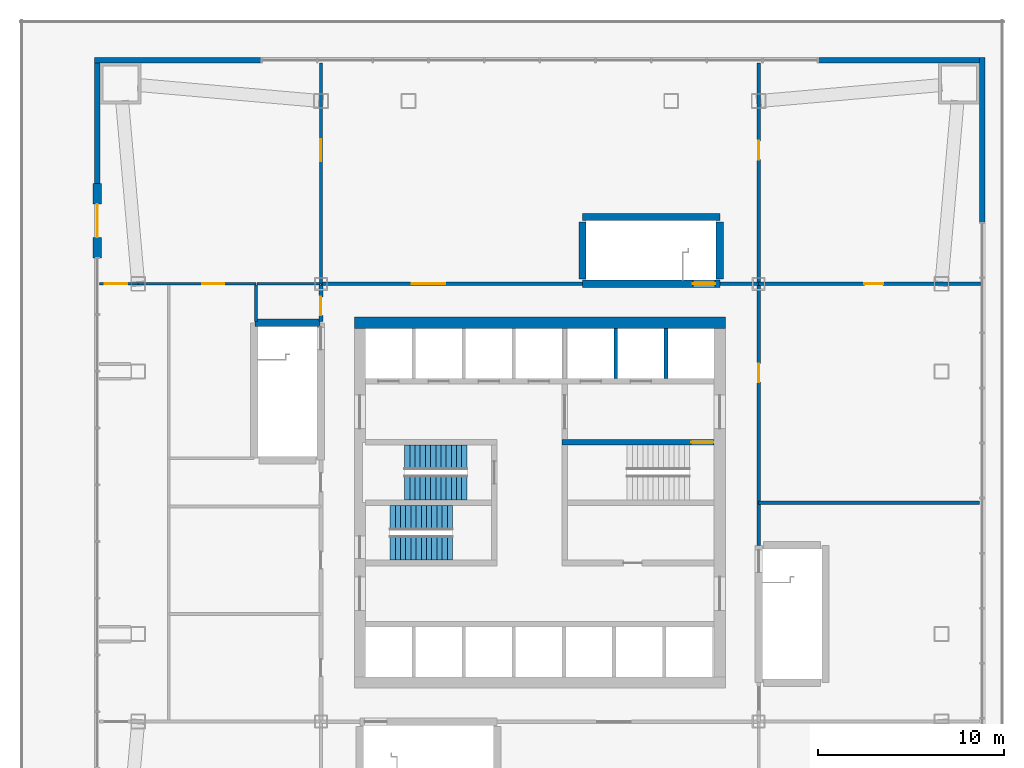
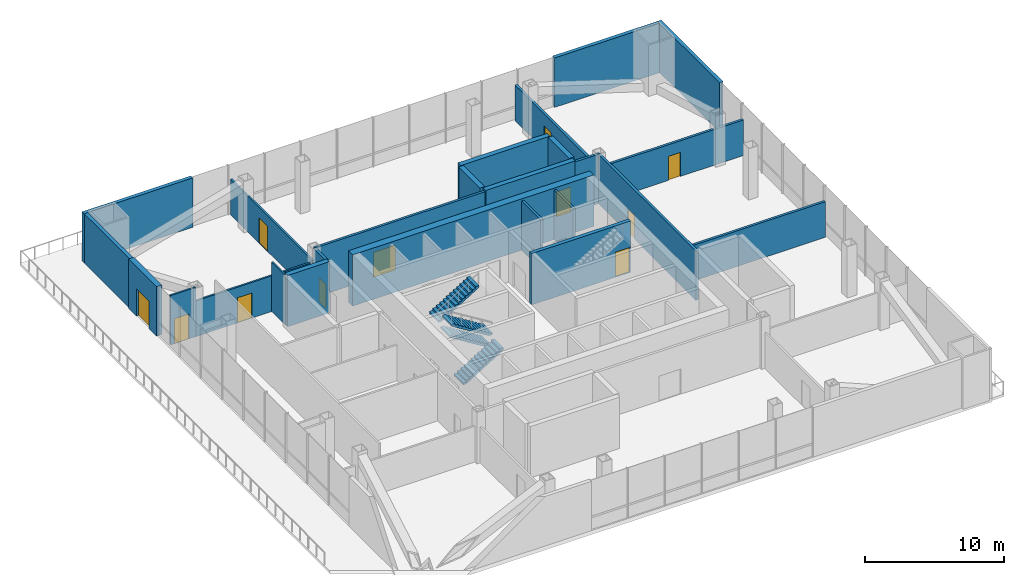
# One storey, part 13 of 15: 26 walls, 11 doors, 4 stair flights, 11 openings, 2 elements without a shape of their own.
"""IFC4 building model written with IfcOpenShell, lengths in metres."""

from ifc_helpers import new_model, si_unit, direction, frame, frame_2d, origin, place, context, subcontext, project, spatial, polyline, rectangle, outline, extrude, material, layer, layer_set, type_object, element, fill, aggregate, save


model = new_model("IFC4")

# Units and contexts
model_context = context("Model", 3, precision=1e-05, world=origin(), true_north=direction((0.0, 1.0)))
body_context = subcontext(model_context, "Body", "Model", "MODEL_VIEW")
ifc_project = project(units=[si_unit("LENGTHUNIT", "METRE"), si_unit("AREAUNIT", "SQUARE_METRE"), si_unit("VOLUMEUNIT", "CUBIC_METRE"), si_unit("PLANEANGLEUNIT", "RADIAN"), si_unit("MASSUNIT", "GRAM", prefix="KILO")], contexts=[model_context])

# Site, building, storey
site_placement = place(None, origin())
site = spatial("IfcSite", under=ifc_project, at=site_placement, CompositionType="ELEMENT")
building_placement = place(site_placement, origin())
building = spatial("IfcBuilding", under=site, at=building_placement, Name="Turquesa Mirador Hotel Tower", CompositionType="ELEMENT")
storey_placement = place(building_placement, frame((0.0, 0.0, 20.5)))
storey = spatial("IfcBuildingStorey", under=building, at=storey_placement, Name="L04", CompositionType="ELEMENT", Elevation=20.5)

# Wall, opening, door
ifc_material_1 = material(Name="Concrete C50/60", Category="concrete")
ifc_layer_1 = layer(ifc_material_1, 0.300048828125)
ifc_layer_set_1 = layer_set([ifc_layer_1], Name="CORE INNER WALL 300")
wall_type_1 = type_object("IfcWallType", Name="CORE INNER WALL 300", PredefinedType="SHEAR", material=ifc_layer_set_1)
wall_1_placement = place(storey_placement, frame((56.199951171875, 48.25, 0.0), z_axis=(0.0, 0.0, 1.0), x_axis=(1.0, 0.0, 0.0)))
wall_1 = element("IfcWall", 1, at=wall_1_placement, inside=storey, type_object=wall_type_1, Name="Core wall MN-E", PredefinedType="SHEAR", context=body_context, shape_type="SweptSolid", body=[
    extrude(rectangle(XDim=8.199951171875, YDim=0.300048828125, at=frame_2d((4.10009765625, 0.0))), origin(), (0.0, 0.0, 1.0), 4.5),
])
opening_1_placement = place(wall_1_placement, frame((6.949951171875, 0.0, 0.0)))
opening_1 = element("IfcOpeningElement", 2, at=opening_1_placement, cuts=wall_1, Name="Opening D03", PredefinedType="OPENING", context=body_context, shape_type="SweptSolid", body=[
    extrude(rectangle(XDim=1.199951171875, YDim=2.199951171875, at=frame_2d((0.60009765625, 1.10009765625))), frame((0.0, 0.159912109375, 0.0), z_axis=(0.0, -1.0, 0.0), x_axis=(1.0, 0.0, 0.0)), (0.0, 0.0, 1.0), 0.320068359375),
])
ifc_material_2 = material(Name="Steel fire door", Category="steel")
door_type_1 = type_object("IfcDoorType", Name="DOOR 1200X2200 STAIR", OperationType="SINGLE_SWING_LEFT", PredefinedType="DOOR", material=ifc_material_2)
door_1_placement = place(opening_1_placement, origin())
door_1 = element("IfcDoor", 3, at=door_1_placement, inside=storey, type_object=door_type_1, Name="Stair ST3 door", OperationType="SINGLE_SWING_LEFT", OverallHeight=2.199951171875, OverallWidth=1.199951171875, PredefinedType="DOOR", context=body_context, shape_type="SweptSolid", body=[
    extrude(rectangle(XDim=1.199951171875, YDim=2.199951171875, at=frame_2d((0.60009765625, 1.10009765625))), frame((0.0, 0.02490234375, 0.0), z_axis=(0.0, -1.0, 0.0), x_axis=(1.0, 0.0, 0.0)), (0.0, 0.0, 1.0), 0.050048828125),
])
fill(opening_1, door_1)

# Wall
ifc_material_3 = material(Name="Concrete C50/60", Category="concrete")
ifc_layer_2 = layer(ifc_material_3, 0.60009765625)
ifc_layer_set_2 = layer_set([ifc_layer_2], Name="CORE WALL 600")
wall_type_2 = type_object("IfcWallType", Name="CORE WALL 600", PredefinedType="SHEAR", material=ifc_layer_set_2)
wall_2_placement = place(storey_placement, frame((45.0, 54.699951171875, 0.0), z_axis=(0.0, 0.0, 1.0), x_axis=(1.0, 0.0, 0.0)))
element("IfcWall", 4, at=wall_2_placement, inside=storey, type_object=wall_type_2, Name="Core wall N", PredefinedType="SHEAR", context=body_context, shape_type="SweptSolid", body=[
    extrude(rectangle(XDim=20.0, YDim=0.60009765625, at=frame_2d((10.0, 0.0))), origin(), (0.0, 0.0, 1.0), 4.5),
])

# Wall, opening, door
ifc_material_4 = material(Name="Fire-rated gypsum board on steel studs", Category="steel")
ifc_layer_3 = layer(ifc_material_4, 0.199951171875)
ifc_layer_set_3 = layer_set([ifc_layer_3], Name="CORRIDOR WALL 200")
wall_type_3 = type_object("IfcWallType", Name="CORRIDOR WALL 200", PredefinedType="PARTITIONING", material=ifc_layer_set_3)
wall_3_placement = place(storey_placement, frame((43.199951171875, 56.800048828125, 0.0), z_axis=(0.0, 0.0, 1.0), x_axis=(1.0, 0.0, 0.0)))
wall_3 = element("IfcWall", 5, at=wall_3_placement, inside=storey, type_object=wall_type_3, Name="Partition L04 012", PredefinedType="PARTITIONING", context=body_context, shape_type="SweptSolid", body=[
    extrude(rectangle(XDim=14.10009765625, YDim=0.199951171875, at=frame_2d((7.050048828125, 0.0))), origin(), (0.0, 0.0, 1.0), 4.330078125),
])
opening_2_placement = place(wall_3_placement, frame((4.89990234375, 0.0, 0.0)))
opening_2 = element("IfcOpeningElement", 6, at=opening_2_placement, cuts=wall_3, Name="Opening D04", PredefinedType="OPENING", context=body_context, shape_type="SweptSolid", body=[
    extrude(rectangle(XDim=1.800048828125, YDim=2.199951171875, at=frame_2d((0.89990234375, 1.10009765625))), frame((0.0, 0.10986328125, 0.0), z_axis=(0.0, -1.0, 0.0), x_axis=(1.0, 0.0, 0.0)), (0.0, 0.0, 1.0), 0.219970703125),
])
ifc_material_5 = material(Name="Steel fire door pair", Category="steel")
door_type_2 = type_object("IfcDoorType", Name="DOOR 1800X2200 PAIR", OperationType="DOUBLE_DOOR_SINGLE_SWING", PredefinedType="DOOR", material=ifc_material_5)
door_2_placement = place(opening_2_placement, origin())
door_2 = element("IfcDoor", 7, at=door_2_placement, inside=storey, type_object=door_type_2, Name="Door L04-10", OperationType="DOUBLE_DOOR_SINGLE_SWING", OverallHeight=2.199951171875, OverallWidth=1.800048828125, PredefinedType="DOOR", context=body_context, shape_type="SweptSolid", body=[
    extrude(rectangle(XDim=1.800048828125, YDim=2.199951171875, at=frame_2d((0.89990234375, 1.10009765625))), frame((0.0, 0.02490234375, 0.0), z_axis=(0.0, -1.0, 0.0), x_axis=(1.0, 0.0, 0.0)), (0.0, 0.0, 1.0), 0.050048828125),
])
fill(opening_2, door_2)

# Wall
wall_4_placement = place(storey_placement, frame((64.699951171875, 56.800048828125, 0.0), z_axis=(0.0, 0.0, 1.0), x_axis=(1.0, 0.0, 0.0)))
element("IfcWall", 8, at=wall_4_placement, inside=storey, type_object=wall_type_3, Name="Partition L04 013", PredefinedType="PARTITIONING", context=body_context, shape_type="SweptSolid", body=[
    extrude(rectangle(XDim=2.10009765625, YDim=0.199951171875, at=frame_2d((1.050048828125, 0.0))), origin(), (0.0, 0.0, 1.0), 4.330078125),
])

# Wall, opening, door
wall_5_placement = place(storey_placement, frame((66.800048828125, 42.699951171875, 0.0), z_axis=(0.0, 0.0, 1.0), x_axis=(0.0, 1.0, 0.0)))
wall_5 = element("IfcWall", 9, at=wall_5_placement, inside=storey, type_object=wall_type_3, Name="Partition L04 029", PredefinedType="PARTITIONING", context=body_context, shape_type="SweptSolid", body=[
    extrude(rectangle(XDim=14.10009765625, YDim=0.199951171875, at=frame_2d((7.050048828125, 0.0))), origin(), (0.0, 0.0, 1.0), 4.330078125),
])
opening_3_placement = place(wall_5_placement, frame((8.800048828125, 0.0, 0.0)))
opening_3 = element("IfcOpeningElement", 10, at=opening_3_placement, cuts=wall_5, Name="Opening D05", PredefinedType="OPENING", context=body_context, shape_type="SweptSolid", body=[
    extrude(rectangle(XDim=1.0, YDim=2.10009765625, at=frame_2d((0.5, 1.050048828125))), frame((0.0, 0.10986328125, 0.0), z_axis=(0.0, -1.0, 0.0), x_axis=(1.0, 0.0, 0.0)), (0.0, 0.0, 1.0), 0.219970703125),
])
ifc_material_6 = material(Name="Steel fire door", Category="steel")
door_type_3 = type_object("IfcDoorType", Name="DOOR 1000X2100 SERVICE", OperationType="SINGLE_SWING_LEFT", PredefinedType="DOOR", material=ifc_material_6)
door_3_placement = place(opening_3_placement, origin())
door_3 = element("IfcDoor", 11, at=door_3_placement, inside=storey, type_object=door_type_3, Name="Door L04-13", OperationType="SINGLE_SWING_LEFT", OverallHeight=2.10009765625, OverallWidth=1.0, PredefinedType="DOOR", context=body_context, shape_type="SweptSolid", body=[
    extrude(rectangle(XDim=1.0, YDim=2.10009765625, at=frame_2d((0.5, 1.050048828125))), frame((0.0, 0.02490234375, 0.0), z_axis=(0.0, -1.0, 0.0), x_axis=(1.0, 0.0, 0.0)), (0.0, 0.0, 1.0), 0.050048828125),
])
fill(opening_3, door_3)

wall_6_placement = place(storey_placement, frame((43.199951171875, 56.739990234375, 0.0), z_axis=(0.0, 0.0, 1.0), x_axis=(0.0, -1.0, 0.0)))
wall_6 = element("IfcWall", 12, at=wall_6_placement, inside=storey, type_object=wall_type_3, Name="Partition L04 037", PredefinedType="PARTITIONING", context=body_context, shape_type="SweptSolid", body=[
    extrude(rectangle(XDim=1.97998046875, YDim=0.199951171875, at=frame_2d((0.989990234375, 0.0))), origin(), (0.0, 0.0, 1.0), 4.330078125),
])
opening_4_placement = place(wall_6_placement, frame((0.639892578125, 0.0, 0.0)))
opening_4 = element("IfcOpeningElement", 13, at=opening_4_placement, cuts=wall_6, Name="Opening D05", PredefinedType="OPENING", context=body_context, shape_type="SweptSolid", body=[
    extrude(rectangle(XDim=1.0, YDim=2.10009765625, at=frame_2d((0.5, 1.050048828125))), frame((0.0, 0.10986328125, 0.0), z_axis=(0.0, -1.0, 0.0), x_axis=(1.0, 0.0, 0.0)), (0.0, 0.0, 1.0), 0.219970703125),
])
door_4_placement = place(opening_4_placement, origin())
door_4 = element("IfcDoor", 14, at=door_4_placement, inside=storey, type_object=door_type_3, Name="Door L04-14", OperationType="SINGLE_SWING_LEFT", OverallHeight=2.10009765625, OverallWidth=1.0, PredefinedType="DOOR", context=body_context, shape_type="SweptSolid", body=[
    extrude(rectangle(XDim=1.0, YDim=2.10009765625, at=frame_2d((0.5, 1.050048828125))), frame((0.0, 0.02490234375, 0.0), z_axis=(0.0, -1.0, 0.0), x_axis=(1.0, 0.0, 0.0)), (0.0, 0.0, 1.0), 0.050048828125),
])
fill(opening_4, door_4)

# Walls
ifc_material_7 = material(Name="Limestone cladding on concrete block", Category="masonry")
ifc_layer_4 = layer(ifc_material_7, 0.300048828125)
ifc_layer_set_4 = layer_set([ifc_layer_4], Name="FACADE WALL 300 STONE PIER")
wall_type_4 = type_object("IfcWallType", Name="FACADE WALL 300 STONE PIER", PredefinedType="SOLIDWALL", material=ifc_layer_set_4)
wall_7_placement = place(storey_placement, frame((78.85009765625, 60.09375, 0.0), z_axis=(0.0, 0.0, 1.0), x_axis=(0.0, 1.0, 0.0)))
element("IfcWall", 15, at=wall_7_placement, inside=storey, type_object=wall_type_4, Name="Facade wall L04 bay CWP-L04-E0 13", PredefinedType="SOLIDWALL", context=body_context, shape_type="SweptSolid", body=[
    extrude(rectangle(XDim=8.90625, YDim=0.300048828125, at=frame_2d((4.453125, 0.0))), origin(), (0.0, 0.0, 1.0), 4.330078125),
])
wall_8_placement = place(storey_placement, frame((78.699951171875, 68.85009765625, 0.0), z_axis=(0.0, 0.0, 1.0), x_axis=(-1.0, 0.0, 0.0)))
element("IfcWall", 16, at=wall_8_placement, inside=storey, type_object=wall_type_4, Name="Facade wall L04 bay CWP-L04-N0 00", PredefinedType="SOLIDWALL", context=body_context, shape_type="SweptSolid", body=[
    extrude(rectangle(XDim=8.699951171875, YDim=0.300048828125, at=frame_2d((4.35009765625, 0.0))), origin(), (0.0, 0.0, 1.0), 4.330078125),
])
wall_9_placement = place(storey_placement, frame((40.0, 68.85009765625, 0.0), z_axis=(0.0, 0.0, 1.0), x_axis=(-1.0, 0.0, 0.0)))
element("IfcWall", 17, at=wall_9_placement, inside=storey, type_object=wall_type_4, Name="Facade wall L04 bay CWP-L04-N0 13", PredefinedType="SOLIDWALL", context=body_context, shape_type="SweptSolid", body=[
    extrude(rectangle(XDim=9.0, YDim=0.300048828125, at=frame_2d((4.5, 0.0))), origin(), (0.0, 0.0, 1.0), 4.330078125),
])
wall_10_placement = place(storey_placement, frame((31.14990234375, 68.699951171875, 0.0), z_axis=(0.0, 0.0, 1.0), x_axis=(0.0, -1.0, 0.0)))
element("IfcWall", 18, at=wall_10_placement, inside=storey, type_object=wall_type_4, Name="Facade wall L04 bay CWP-L04-W0 00", PredefinedType="SOLIDWALL", context=body_context, shape_type="SweptSolid", body=[
    extrude(rectangle(XDim=6.5, YDim=0.300048828125, at=frame_2d((3.25, 0.0))), origin(), (0.0, 0.0, 1.0), 4.330078125),
])
ifc_material_8 = material(Name="Fire-rated gypsum board on steel studs", Category="steel")
ifc_layer_5 = layer(ifc_material_8, 0.199951171875)
ifc_layer_set_5 = layer_set([ifc_layer_5], Name="FIRE PARTITION 200")
wall_type_5 = type_object("IfcWallType", Name="FIRE PARTITION 200", PredefinedType="PARTITIONING", material=ifc_layer_set_5)
wall_11_placement = place(storey_placement, frame((66.800048828125, 45.0, 0.0), z_axis=(0.0, 0.0, 1.0), x_axis=(1.0, 0.0, 0.0)))
element("IfcWall", 19, at=wall_11_placement, inside=storey, type_object=wall_type_5, Name="Partition L04 011", PredefinedType="PARTITIONING", context=body_context, shape_type="SweptSolid", body=[
    extrude(rectangle(XDim=11.89990234375, YDim=0.199951171875, at=frame_2d((5.949951171875, 0.0))), origin(), (0.0, 0.0, 1.0), 3.1298828125),
])

# Wall, opening, door
wall_12_placement = place(storey_placement, frame((66.800048828125, 56.800048828125, 0.0), z_axis=(0.0, 0.0, 1.0), x_axis=(1.0, 0.0, 0.0)))
wall_12 = element("IfcWall", 20, at=wall_12_placement, inside=storey, type_object=wall_type_5, Name="Partition L04 014", PredefinedType="PARTITIONING", context=body_context, shape_type="SweptSolid", body=[
    extrude(rectangle(XDim=11.945068359375, YDim=0.199951171875, at=frame_2d((5.97265625, 0.0))), origin(), (0.0, 0.0, 1.0), 3.1298828125),
])
opening_5_placement = place(wall_12_placement, frame((5.699951171875, 0.0, 0.0)))
opening_5 = element("IfcOpeningElement", 21, at=opening_5_placement, cuts=wall_12, Name="Opening D05", PredefinedType="OPENING", context=body_context, shape_type="SweptSolid", body=[
    extrude(rectangle(XDim=1.0, YDim=2.10009765625, at=frame_2d((0.5, 1.050048828125))), frame((0.0, 0.10986328125, 0.0), z_axis=(0.0, -1.0, 0.0), x_axis=(1.0, 0.0, 0.0)), (0.0, 0.0, 1.0), 0.219970703125),
])
door_5_placement = place(opening_5_placement, origin())
door_5 = element("IfcDoor", 22, at=door_5_placement, inside=storey, type_object=door_type_3, Name="Door L04-11-1", OperationType="SINGLE_SWING_LEFT", OverallHeight=2.10009765625, OverallWidth=1.0, PredefinedType="DOOR", context=body_context, shape_type="SweptSolid", body=[
    extrude(rectangle(XDim=1.0, YDim=2.10009765625, at=frame_2d((0.5, 1.050048828125))), frame((0.0, 0.02490234375, 0.0), z_axis=(0.0, -1.0, 0.0), x_axis=(1.0, 0.0, 0.0)), (0.0, 0.0, 1.0), 0.050048828125),
])
fill(opening_5, door_5)

wall_13_placement = place(storey_placement, frame((66.800048828125, 56.800048828125, 0.0), z_axis=(0.0, 0.0, 1.0), x_axis=(0.0, 1.0, 0.0)))
wall_13 = element("IfcWall", 23, at=wall_13_placement, inside=storey, type_object=wall_type_5, Name="Partition L04 030", PredefinedType="PARTITIONING", context=body_context, shape_type="SweptSolid", body=[
    extrude(rectangle(XDim=11.89990234375, YDim=0.199951171875, at=frame_2d((5.949951171875, 0.0))), origin(), (0.0, 0.0, 1.0), 3.1298828125),
])
opening_6_placement = place(wall_13_placement, frame((6.699951171875, 0.0, 0.0)))
opening_6 = element("IfcOpeningElement", 24, at=opening_6_placement, cuts=wall_13, Name="Opening D05", PredefinedType="OPENING", context=body_context, shape_type="SweptSolid", body=[
    extrude(rectangle(XDim=1.0, YDim=2.10009765625, at=frame_2d((0.5, 1.050048828125))), frame((0.0, 0.10986328125, 0.0), z_axis=(0.0, -1.0, 0.0), x_axis=(1.0, 0.0, 0.0)), (0.0, 0.0, 1.0), 0.219970703125),
])
door_6_placement = place(opening_6_placement, origin())
door_6 = element("IfcDoor", 25, at=door_6_placement, inside=storey, type_object=door_type_3, Name="Door L04-11", OperationType="SINGLE_SWING_LEFT", OverallHeight=2.10009765625, OverallWidth=1.0, PredefinedType="DOOR", context=body_context, shape_type="SweptSolid", body=[
    extrude(rectangle(XDim=1.0, YDim=2.10009765625, at=frame_2d((0.5, 1.050048828125))), frame((0.0, 0.02490234375, 0.0), z_axis=(0.0, -1.0, 0.0), x_axis=(1.0, 0.0, 0.0)), (0.0, 0.0, 1.0), 0.050048828125),
])
fill(opening_6, door_6)

# Walls
ifc_material_9 = material(Name="Fire-rated gypsum shaft wall on steel studs", Category="steel")
ifc_layer_6 = layer(ifc_material_9, 0.199951171875)
ifc_layer_set_6 = layer_set([ifc_layer_6], Name="LIFT SHAFT DIVIDER 200")
wall_type_6 = type_object("IfcWallType", Name="LIFT SHAFT DIVIDER 200", PredefinedType="PARTITIONING", material=ifc_layer_set_6)
for number, where, z_axis, x_axis, name in (
    (26, (59.10009765625, 51.699951171875, 0.0), (0.0, 0.0, 1.0), (0.0, 1.0, 0.0), "Lift shaft divider"),
    (27, (61.800048828125, 51.699951171875, 0.0), (0.0, 0.0, 1.0), (0.0, 1.0, 0.0), "Lift shaft divider"),
):
    element("IfcWall", number, at=place(storey_placement, frame(where, z_axis=z_axis, x_axis=x_axis)), inside=storey, type_object=wall_type_6, Name=name, PredefinedType="PARTITIONING", context=body_context, shape_type="SweptSolid", body=[
        extrude(rectangle(XDim=2.699951171875, YDim=0.199951171875, at=frame_2d((1.35009765625, 0.0))), origin(), (0.0, 0.0, 1.0), 4.330078125),
    ])

# Wall, opening, door
ifc_material_10 = material(Name="Gypsum board on steel studs", Category="steel")
ifc_layer_7 = layer(ifc_material_10, 0.14990234375)
ifc_layer_set_7 = layer_set([ifc_layer_7], Name="PARTITION 150")
wall_type_7 = type_object("IfcWallType", Name="PARTITION 150", PredefinedType="PARTITIONING", material=ifc_layer_set_7)
wall_14_placement = place(storey_placement, frame((33.330078125, 56.800048828125, 0.0), z_axis=(0.0, 0.0, 1.0), x_axis=(1.0, 0.0, 0.0)))
wall_14 = element("IfcWall", 28, at=wall_14_placement, inside=storey, type_object=wall_type_7, Name="Partition L04 015", PredefinedType="PARTITIONING", context=body_context, shape_type="SweptSolid", body=[
    extrude(rectangle(XDim=6.369873046875, YDim=0.14990234375, at=frame_2d((3.18505859375, 0.0))), origin(), (0.0, 0.0, 1.0), 3.1298828125),
])
opening_7_placement = place(wall_14_placement, frame((3.469970703125, 0.0, 0.0)))
opening_7 = element("IfcOpeningElement", 29, at=opening_7_placement, cuts=wall_14, Name="Opening D09", PredefinedType="OPENING", context=body_context, shape_type="SweptSolid", body=[
    extrude(rectangle(XDim=1.199951171875, YDim=2.199951171875, at=frame_2d((0.60009765625, 1.10009765625))), frame((0.0, 0.0849609375, 0.0), z_axis=(0.0, -1.0, 0.0), x_axis=(1.0, 0.0, 0.0)), (0.0, 0.0, 1.0), 0.169921875),
])
ifc_material_11 = material(Name="Timber door", Category="wood")
door_type_4 = type_object("IfcDoorType", Name="DOOR 1200X2200 OFFICE", OperationType="SINGLE_SWING_LEFT", PredefinedType="DOOR", material=ifc_material_11)
door_7_placement = place(opening_7_placement, origin())
door_7 = element("IfcDoor", 30, at=door_7_placement, inside=storey, type_object=door_type_4, Name="Door L04-07", OperationType="SINGLE_SWING_LEFT", OverallHeight=2.199951171875, OverallWidth=1.199951171875, PredefinedType="DOOR", context=body_context, shape_type="SweptSolid", body=[
    extrude(rectangle(XDim=1.199951171875, YDim=2.199951171875, at=frame_2d((0.60009765625, 1.10009765625))), frame((0.0, 0.02490234375, 0.0), z_axis=(0.0, -1.0, 0.0), x_axis=(1.0, 0.0, 0.0)), (0.0, 0.0, 1.0), 0.050048828125),
])
fill(opening_7, door_7)

wall_15_placement = place(storey_placement, frame((43.199951171875, 56.800048828125, 0.0), z_axis=(0.0, 0.0, 1.0), x_axis=(0.0, 1.0, 0.0)))
wall_15 = element("IfcWall", 31, at=wall_15_placement, inside=storey, type_object=wall_type_7, Name="Partition L04 022", PredefinedType="PARTITIONING", context=body_context, shape_type="SweptSolid", body=[
    extrude(rectangle(XDim=11.89990234375, YDim=0.14990234375, at=frame_2d((5.949951171875, 0.0))), origin(), (0.0, 0.0, 1.0), 3.1298828125),
])
opening_8_placement = place(wall_15_placement, frame((6.60009765625, 0.0, 0.0)))
opening_8 = element("IfcOpeningElement", 32, at=opening_8_placement, cuts=wall_15, Name="Opening D09", PredefinedType="OPENING", context=body_context, shape_type="SweptSolid", body=[
    extrude(rectangle(XDim=1.199951171875, YDim=2.199951171875, at=frame_2d((0.60009765625, 1.10009765625))), frame((0.0, 0.0849609375, 0.0), z_axis=(0.0, -1.0, 0.0), x_axis=(1.0, 0.0, 0.0)), (0.0, 0.0, 1.0), 0.169921875),
])
door_8_placement = place(opening_8_placement, origin())
door_8 = element("IfcDoor", 33, at=door_8_placement, inside=storey, type_object=door_type_4, Name="Door L04-09", OperationType="SINGLE_SWING_LEFT", OverallHeight=2.199951171875, OverallWidth=1.199951171875, PredefinedType="DOOR", context=body_context, shape_type="SweptSolid", body=[
    extrude(rectangle(XDim=1.199951171875, YDim=2.199951171875, at=frame_2d((0.60009765625, 1.10009765625))), frame((0.0, 0.02490234375, 0.0), z_axis=(0.0, -1.0, 0.0), x_axis=(1.0, 0.0, 0.0)), (0.0, 0.0, 1.0), 0.050048828125),
])
fill(opening_8, door_8)

# Walls
wall_16_placement = place(storey_placement, frame((39.699951171875, 54.760009765625, 0.0), z_axis=(0.0, 0.0, 1.0), x_axis=(0.0, 1.0, 0.0)))
element("IfcWall", 34, at=wall_16_placement, inside=storey, type_object=wall_type_7, Name="Partition L04 038", PredefinedType="PARTITIONING", context=body_context, shape_type="SweptSolid", body=[
    extrude(rectangle(XDim=1.97998046875, YDim=0.14990234375, at=frame_2d((0.989990234375, 0.0))), origin(), (0.0, 0.0, 1.0), 4.330078125),
])
wall_17_placement = place(storey_placement, frame((39.760009765625, 56.800048828125, 0.0), z_axis=(0.0, 0.0, 1.0), x_axis=(1.0, 0.0, 0.0)))
element("IfcWall", 35, at=wall_17_placement, inside=storey, type_object=wall_type_7, Name="Partition L04 039", PredefinedType="PARTITIONING", context=body_context, shape_type="SweptSolid", body=[
    extrude(rectangle(XDim=3.3798828125, YDim=0.14990234375, at=frame_2d((1.68994140625, 0.0))), origin(), (0.0, 0.0, 1.0), 3.1298828125),
])

# Wall, opening, door
wall_18_placement = place(storey_placement, frame((31.2548828125, 56.800048828125, 0.0), z_axis=(0.0, 0.0, 1.0), x_axis=(1.0, 0.0, 0.0)))
wall_18 = element("IfcWall", 36, at=wall_18_placement, inside=storey, type_object=wall_type_7, Name="Partition L04 044", PredefinedType="PARTITIONING", context=body_context, shape_type="SweptSolid", body=[
    extrude(rectangle(XDim=2.0751953125, YDim=0.14990234375, at=frame_2d((1.03759765625, 0.0))), origin(), (0.0, 0.0, 1.0), 4.330078125),
])
opening_9_placement = place(wall_18_placement, frame((0.294921875, 0.0, 0.0)))
opening_9 = element("IfcOpeningElement", 37, at=opening_9_placement, cuts=wall_18, Name="Opening D09", PredefinedType="OPENING", context=body_context, shape_type="SweptSolid", body=[
    extrude(rectangle(XDim=1.199951171875, YDim=2.199951171875, at=frame_2d((0.60009765625, 1.10009765625))), frame((0.0, 0.0849609375, 0.0), z_axis=(0.0, -1.0, 0.0), x_axis=(1.0, 0.0, 0.0)), (0.0, 0.0, 1.0), 0.169921875),
])
door_9_placement = place(opening_9_placement, origin())
door_9 = element("IfcDoor", 38, at=door_9_placement, inside=storey, type_object=door_type_4, Name="Door L04-09-1", OperationType="SINGLE_SWING_LEFT", OverallHeight=2.199951171875, OverallWidth=1.199951171875, PredefinedType="DOOR", context=body_context, shape_type="SweptSolid", body=[
    extrude(rectangle(XDim=1.199951171875, YDim=2.199951171875, at=frame_2d((0.60009765625, 1.10009765625))), frame((0.0, 0.02490234375, 0.0), z_axis=(0.0, -1.0, 0.0), x_axis=(1.0, 0.0, 0.0)), (0.0, 0.0, 1.0), 0.050048828125),
])
fill(opening_9, door_9)

ifc_material_12 = material(Name="Limestone cladding on concrete block", Category="masonry")
ifc_layer_8 = layer(ifc_material_12, 0.449951171875)
ifc_layer_set_8 = layer_set([ifc_layer_8], Name="PORTAL WALL 450 STONE")
wall_type_8 = type_object("IfcWallType", Name="PORTAL WALL 450 STONE", PredefinedType="SOLIDWALL", material=ifc_layer_set_8)
wall_19_placement = place(storey_placement, frame((31.14990234375, 62.199951171875, 0.0), z_axis=(0.0, 0.0, 1.0), x_axis=(0.0, -1.0, 0.0)))
wall_19 = element("IfcWall", 39, at=wall_19_placement, inside=storey, type_object=wall_type_8, Name="Entrance portal L04", PredefinedType="SOLIDWALL", context=body_context, shape_type="SweptSolid", body=[
    extrude(rectangle(XDim=4.0, YDim=0.449951171875, at=frame_2d((2.0, 0.0))), origin(), (0.0, 0.0, 1.0), 4.330078125),
])
opening_10_placement = place(wall_19_placement, frame((1.10009765625, 0.0, 0.0)))
opening_10 = element("IfcOpeningElement", 40, at=opening_10_placement, cuts=wall_19, Name="Opening D10", PredefinedType="OPENING", context=body_context, shape_type="SweptSolid", body=[
    extrude(rectangle(XDim=1.800048828125, YDim=2.39990234375, at=frame_2d((0.89990234375, 1.199951171875))), frame((0.0, 0.23486328125, 0.0), z_axis=(0.0, -1.0, 0.0), x_axis=(1.0, 0.0, 0.0)), (0.0, 0.0, 1.0), 0.469970703125),
])
ifc_material_13 = material(Name="Aluminium glazed sliding door", Category="aluminium")
door_type_5 = type_object("IfcDoorType", Name="TERRACE DOOR 1800X2400 GLAZED", OperationType="SLIDING_TO_LEFT", PredefinedType="DOOR", material=ifc_material_13)
door_10_placement = place(opening_10_placement, origin())
door_10 = element("IfcDoor", 41, at=door_10_placement, inside=storey, type_object=door_type_5, Name="External door L04 W", OperationType="SLIDING_TO_LEFT", OverallHeight=2.39990234375, OverallWidth=1.800048828125, PredefinedType="DOOR", context=body_context, shape_type="SweptSolid", body=[
    extrude(rectangle(XDim=1.800048828125, YDim=2.39990234375, at=frame_2d((0.89990234375, 1.199951171875))), frame((0.0, 0.02490234375, 0.0), z_axis=(0.0, -1.0, 0.0), x_axis=(1.0, 0.0, 0.0)), (0.0, 0.0, 1.0), 0.050048828125),
])
fill(opening_10, door_10)

ifc_material_14 = material(Name="Concrete C50/60", Category="concrete")
ifc_layer_9 = layer(ifc_material_14, 0.39990234375)
ifc_layer_set_9 = layer_set([ifc_layer_9], Name="STAIR WALL 400")
wall_type_9 = type_object("IfcWallType", Name="STAIR WALL 400", PredefinedType="SHEAR", material=ifc_layer_set_9)
wall_20_placement = place(storey_placement, frame((57.300048828125, 56.800048828125, 0.0), z_axis=(0.0, 0.0, 1.0), x_axis=(1.0, 0.0, 0.0)))
wall_20 = element("IfcWall", 42, at=wall_20_placement, inside=storey, type_object=wall_type_9, Name="Stair wall L04 016", PredefinedType="SHEAR", context=body_context, shape_type="SweptSolid", body=[
    extrude(rectangle(XDim=7.39990234375, YDim=0.39990234375, at=frame_2d((3.699951171875, 0.0))), origin(), (0.0, 0.0, 1.0), 4.5),
])
opening_11_placement = place(wall_20_placement, frame((5.949951171875, 0.0, 0.0)))
opening_11 = element("IfcOpeningElement", 43, at=opening_11_placement, cuts=wall_20, Name="Opening D03", PredefinedType="OPENING", context=body_context, shape_type="SweptSolid", body=[
    extrude(rectangle(XDim=1.199951171875, YDim=2.199951171875, at=frame_2d((0.60009765625, 1.10009765625))), frame((0.0, 0.2099609375, 0.0), z_axis=(0.0, -1.0, 0.0), x_axis=(1.0, 0.0, 0.0)), (0.0, 0.0, 1.0), 0.419921875),
])
door_11_placement = place(opening_11_placement, origin())
door_11 = element("IfcDoor", 44, at=door_11_placement, inside=storey, type_object=door_type_1, Name="Door L04-PS1", OperationType="SINGLE_SWING_LEFT", OverallHeight=2.199951171875, OverallWidth=1.199951171875, PredefinedType="DOOR", context=body_context, shape_type="SweptSolid", body=[
    extrude(rectangle(XDim=1.199951171875, YDim=2.199951171875, at=frame_2d((0.60009765625, 1.10009765625))), frame((0.0, 0.02490234375, 0.0), z_axis=(0.0, -1.0, 0.0), x_axis=(1.0, 0.0, 0.0)), (0.0, 0.0, 1.0), 0.050048828125),
])
fill(opening_11, door_11)

# Walls
wall_21_placement = place(storey_placement, frame((57.300048828125, 60.39990234375, 0.0), z_axis=(0.0, 0.0, 1.0), x_axis=(1.0, 0.0, 0.0)))
element("IfcWall", 45, at=wall_21_placement, inside=storey, type_object=wall_type_9, Name="Stair wall L04 017", PredefinedType="SHEAR", context=body_context, shape_type="SweptSolid", body=[
    extrude(rectangle(XDim=7.39990234375, YDim=0.39990234375, at=frame_2d((3.699951171875, 0.0))), origin(), (0.0, 0.0, 1.0), 4.5),
])
for number, where, z_axis, x_axis, name in (
    (46, (57.300048828125, 57.070068359375, 0.0), (0.0, 0.0, 1.0), (0.0, 1.0, 0.0), "Stair wall L04 034"),
    (47, (64.699951171875, 57.070068359375, 0.0), (0.0, 0.0, 1.0), (0.0, 1.0, 0.0), "Stair wall L04 035"),
):
    element("IfcWall", number, at=place(storey_placement, frame(where, z_axis=z_axis, x_axis=x_axis)), inside=storey, type_object=wall_type_9, Name=name, PredefinedType="SHEAR", context=body_context, shape_type="SweptSolid", body=[
        extrude(rectangle(XDim=3.059814453125, YDim=0.39990234375, at=frame_2d((1.52978515625, 0.0))), origin(), (0.0, 0.0, 1.0), 4.5),
    ])
wall_22_placement = place(storey_placement, frame((43.139892578125, 54.699951171875, 0.0), z_axis=(0.0, 0.0, 1.0), x_axis=(-1.0, 0.0, 0.0)))
element("IfcWall", 48, at=wall_22_placement, inside=storey, type_object=wall_type_9, Name="Stair wall L04 036", PredefinedType="SHEAR", context=body_context, shape_type="SweptSolid", body=[
    extrude(rectangle(XDim=3.47998046875, YDim=0.39990234375, at=frame_2d((1.739990234375, 0.0))), origin(), (0.0, 0.0, 1.0), 4.5),
])

# Stair, stair flights
ifc_material_15 = material(Name="Concrete C35/45", Category="concrete")
stair_type = type_object("IfcStairType", Name="ESCAPE STAIR CORE", PredefinedType="HALF_TURN_STAIR", material=ifc_material_15)
stair_1_placement = place(storey_placement, origin())
stair_1 = element("IfcStair", 49, at=stair_1_placement, inside=storey, type_object=stair_type, Name="Stair ST1 L04 to L05", PredefinedType="HALF_TURN_STAIR")
ifc_material_16 = material(Name="Concrete C35/45 precast flight", Category="concrete")
stair_flight_type = type_object("IfcStairFlightType", Name="STAIR FLIGHT 1330", PredefinedType="STRAIGHT", material=ifc_material_16)
stair_flight_1_placement = place(storey_placement, frame((51.070068359375, 45.81494140625, 0.0), z_axis=(0.0, 0.0, 1.0), x_axis=(-1.0, 0.0, 0.0)))
stair_flight_1 = element("IfcStairFlight", 50, at=stair_flight_1_placement, type_object=stair_flight_type, Name="ST1 flight 1", NumberOfRisers=13, NumberOfTreads=12, PredefinedType="STRAIGHT", RiserHeight=0.173076923, TreadLength=0.28, context=body_context, shape_type="SweptSolid", body=[
    extrude(outline(polyline([(0.0, 0.0), (0.0, 0.173095703125), (0.280029296875, 0.173095703125), (0.280029296875, 0.34619140625), (0.56005859375, 0.34619140625), (0.56005859375, 0.519287109375), (0.840087890625, 0.519287109375), (0.840087890625, 0.6923828125), (1.1201171875, 0.6923828125), (1.1201171875, 0.865478515625), (1.39990234375, 0.865478515625), (1.39990234375, 1.03857421875), (1.679931640625, 1.03857421875), (1.679931640625, 1.21142578125), (1.9599609375, 1.21142578125), (1.9599609375, 1.384521484375), (2.239990234375, 1.384521484375), (2.239990234375, 1.5576171875), (2.52001953125, 1.5576171875), (2.52001953125, 1.730712890625), (2.800048828125, 1.730712890625), (2.800048828125, 1.90380859375), (3.080078125, 1.90380859375), (3.080078125, 2.076904296875), (3.360107421875, 2.076904296875), (3.360107421875, 2.25), (3.360107421875, 1.900634765625), (0.28515625, 0.0), (0.0, 0.0)])), frame((0.0, 0.6650390625, 0.0), z_axis=(0.0, -1.0, 0.0), x_axis=(1.0, 0.0, 0.0)), (0.0, 0.0, 1.0), 1.330078125),
])
stair_flight_2_placement = place(storey_placement, frame((47.7099609375, 47.43505859375, 2.25), z_axis=(0.0, 0.0, 1.0), x_axis=(1.0, 0.0, 0.0)))
stair_flight_2 = element("IfcStairFlight", 51, at=stair_flight_2_placement, type_object=stair_flight_type, Name="ST1 flight 2", NumberOfRisers=13, NumberOfTreads=12, PredefinedType="STRAIGHT", RiserHeight=0.173076923, TreadLength=0.28, context=body_context, shape_type="SweptSolid", body=[
    extrude(outline(polyline([(0.0, 0.0), (0.0, 0.173095703125), (0.280029296875, 0.173095703125), (0.280029296875, 0.34619140625), (0.56005859375, 0.34619140625), (0.56005859375, 0.519287109375), (0.840087890625, 0.519287109375), (0.840087890625, 0.6923828125), (1.1201171875, 0.6923828125), (1.1201171875, 0.865478515625), (1.39990234375, 0.865478515625), (1.39990234375, 1.03857421875), (1.679931640625, 1.03857421875), (1.679931640625, 1.21142578125), (1.9599609375, 1.21142578125), (1.9599609375, 1.384521484375), (2.239990234375, 1.384521484375), (2.239990234375, 1.5576171875), (2.52001953125, 1.5576171875), (2.52001953125, 1.730712890625), (2.800048828125, 1.730712890625), (2.800048828125, 1.90380859375), (3.080078125, 1.90380859375), (3.080078125, 2.076904296875), (3.360107421875, 2.076904296875), (3.360107421875, 2.25), (3.360107421875, 1.900634765625), (0.28515625, 0.0), (0.0, 0.0)])), frame((0.0, 0.6650390625, 0.0), z_axis=(0.0, -1.0, 0.0), x_axis=(1.0, 0.0, 0.0)), (0.0, 0.0, 1.0), 1.330078125),
])
aggregate(stair_1, [stair_flight_1, stair_flight_2])

stair_2_placement = place(storey_placement, origin())
stair_2 = element("IfcStair", 52, at=stair_2_placement, inside=storey, type_object=stair_type, Name="Stair ST2 L04 to L05", PredefinedType="HALF_TURN_STAIR")
stair_flight_3_placement = place(storey_placement, frame((46.929931640625, 42.56494140625, 0.0), z_axis=(0.0, 0.0, 1.0), x_axis=(1.0, 0.0, 0.0)))
stair_flight_3 = element("IfcStairFlight", 53, at=stair_flight_3_placement, type_object=stair_flight_type, Name="ST2 flight 1", NumberOfRisers=13, NumberOfTreads=12, PredefinedType="STRAIGHT", RiserHeight=0.173076923, TreadLength=0.28, context=body_context, shape_type="SweptSolid", body=[
    extrude(outline(polyline([(0.0, 0.0), (0.0, 0.173095703125), (0.280029296875, 0.173095703125), (0.280029296875, 0.34619140625), (0.56005859375, 0.34619140625), (0.56005859375, 0.519287109375), (0.840087890625, 0.519287109375), (0.840087890625, 0.6923828125), (1.1201171875, 0.6923828125), (1.1201171875, 0.865478515625), (1.39990234375, 0.865478515625), (1.39990234375, 1.03857421875), (1.679931640625, 1.03857421875), (1.679931640625, 1.21142578125), (1.9599609375, 1.21142578125), (1.9599609375, 1.384521484375), (2.239990234375, 1.384521484375), (2.239990234375, 1.5576171875), (2.52001953125, 1.5576171875), (2.52001953125, 1.730712890625), (2.800048828125, 1.730712890625), (2.800048828125, 1.90380859375), (3.080078125, 1.90380859375), (3.080078125, 2.076904296875), (3.360107421875, 2.076904296875), (3.360107421875, 2.25), (3.360107421875, 1.900634765625), (0.28515625, 0.0), (0.0, 0.0)])), frame((0.0, 0.6650390625, 0.0), z_axis=(0.0, -1.0, 0.0), x_axis=(1.0, 0.0, 0.0)), (0.0, 0.0, 1.0), 1.330078125),
])
stair_flight_4_placement = place(storey_placement, frame((50.2900390625, 44.18505859375, 2.25), z_axis=(0.0, 0.0, 1.0), x_axis=(-1.0, 0.0, 0.0)))
stair_flight_4 = element("IfcStairFlight", 54, at=stair_flight_4_placement, type_object=stair_flight_type, Name="ST2 flight 2", NumberOfRisers=13, NumberOfTreads=12, PredefinedType="STRAIGHT", RiserHeight=0.173076923, TreadLength=0.28, context=body_context, shape_type="SweptSolid", body=[
    extrude(outline(polyline([(0.0, 0.0), (0.0, 0.173095703125), (0.280029296875, 0.173095703125), (0.280029296875, 0.34619140625), (0.56005859375, 0.34619140625), (0.56005859375, 0.519287109375), (0.840087890625, 0.519287109375), (0.840087890625, 0.6923828125), (1.1201171875, 0.6923828125), (1.1201171875, 0.865478515625), (1.39990234375, 0.865478515625), (1.39990234375, 1.03857421875), (1.679931640625, 1.03857421875), (1.679931640625, 1.21142578125), (1.9599609375, 1.21142578125), (1.9599609375, 1.384521484375), (2.239990234375, 1.384521484375), (2.239990234375, 1.5576171875), (2.52001953125, 1.5576171875), (2.52001953125, 1.730712890625), (2.800048828125, 1.730712890625), (2.800048828125, 1.90380859375), (3.080078125, 1.90380859375), (3.080078125, 2.076904296875), (3.360107421875, 2.076904296875), (3.360107421875, 2.25), (3.360107421875, 1.900634765625), (0.28515625, 0.0), (0.0, 0.0)])), frame((0.0, 0.6650390625, 0.0), z_axis=(0.0, -1.0, 0.0), x_axis=(1.0, 0.0, 0.0)), (0.0, 0.0, 1.0), 1.330078125),
])
aggregate(stair_2, [stair_flight_3, stair_flight_4])

save(model, "model.ifc")
